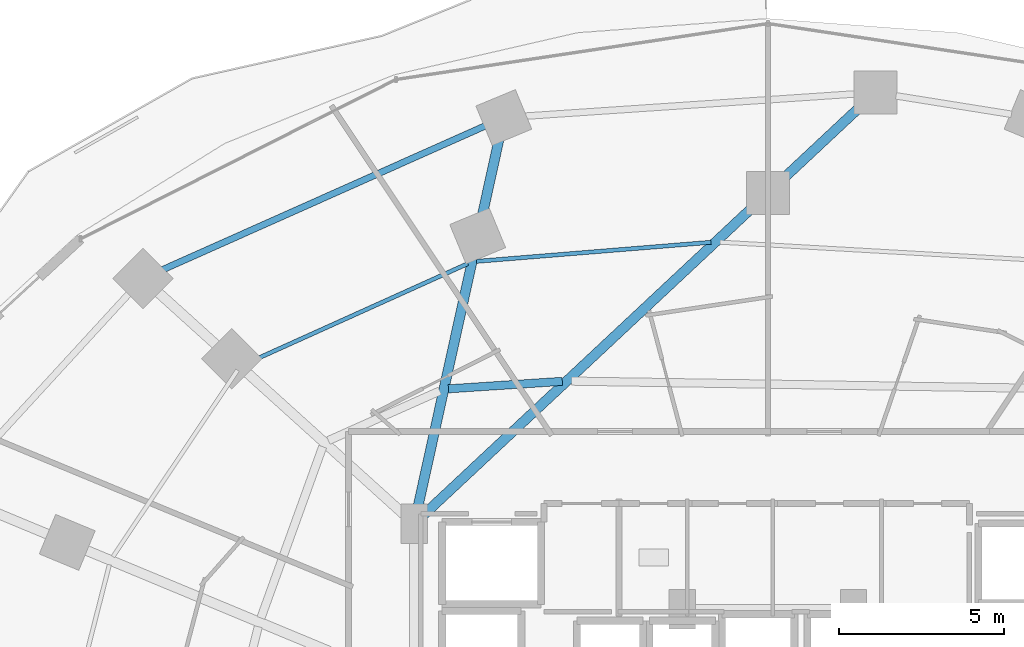
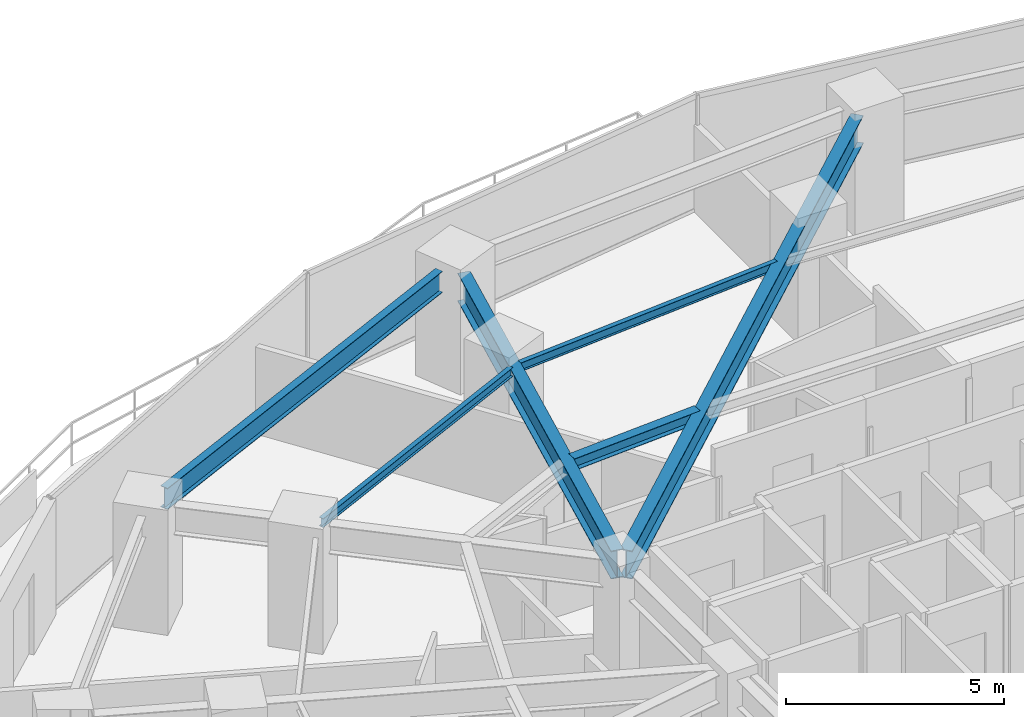
# One storey, part 21 of 35: 6 beams.
"""IFC4 building model written with IfcOpenShell, lengths in metres."""

from ifc_helpers import new_model, si_unit, direction, frame, origin, origin_2d, place, context, subcontext, project, spatial, i_section, extrude, material, material_profile, profile_set, type_object, element, save


model = new_model("IFC4")

# Units and contexts
model_context = context("Model", 3, precision=1e-05, world=origin(), true_north=direction((0.0, 1.0)))
body_context = subcontext(model_context, "Body", "Model", "MODEL_VIEW")
ifc_project = project(units=[si_unit("LENGTHUNIT", "METRE"), si_unit("AREAUNIT", "SQUARE_METRE"), si_unit("VOLUMEUNIT", "CUBIC_METRE"), si_unit("PLANEANGLEUNIT", "RADIAN"), si_unit("MASSUNIT", "GRAM", prefix="KILO")], contexts=[model_context])

# Site, building, storey
site_placement = place(None, origin())
site = spatial("IfcSite", under=ifc_project, at=site_placement, CompositionType="ELEMENT")
building_placement = place(site_placement, origin())
building = spatial("IfcBuilding", under=site, at=building_placement, Name="Vorneva Point Tower", CompositionType="ELEMENT")
storey_placement = place(building_placement, frame((0.0, 0.0, 45.0)))
storey = spatial("IfcBuildingStorey", under=building, at=storey_placement, Name="L11", CompositionType="ELEMENT", Elevation=45.0)

# Beams
ifc_material = material(Name="Steel S355", Category="steel")
ifc_material_profile_1 = material_profile(ifc_material, i_section(OverallWidth=0.300048828125, OverallDepth=0.7880859375, WebThickness=0.014404296875, FlangeThickness=0.02197265625, at=origin_2d()), Name="80Sh1")
ifc_profile_set_1 = profile_set([ifc_material_profile_1], Name="Steel S355")
beam_type_1 = type_object("IfcBeamType", Name="BM-GRD-80Sh1", PredefinedType="USERDEFINED", material=ifc_profile_set_1)
beam_1_placement = place(storey_placement, frame((40.799072265625, 45.81689453125, 2.845947265625), z_axis=(-0.730486513498, -0.682927121732, 0.0), x_axis=(0.682927121732, -0.730486513498, 0.0)))
element("IfcBeam", 1, at=beam_1_placement, inside=storey, type_object=beam_type_1, Name="L11 Radial Primary Girder 05", ObjectType="GIRDER", PredefinedType="USERDEFINED", context=body_context, shape_type="SweptSolid", body=[
    extrude(i_section(OverallWidth=0.300048828125, OverallDepth=0.7880859375, WebThickness=0.014404296875, FlangeThickness=0.02197265625, at=origin_2d()), origin(), (0.0, 0.0, 1.0), 18.2080078125),
])
beam_2_placement = place(storey_placement, frame((29.836181640625, 44.86865234375, 2.845947265625), z_axis=(-0.215504784711, -0.976502784311, 0.0), x_axis=(0.976502784311, -0.215504784711, 0.0)))
element("IfcBeam", 2, at=beam_2_placement, inside=storey, type_object=beam_type_1, Name="L11 Radial Primary Girder 06", ObjectType="GIRDER", PredefinedType="USERDEFINED", context=body_context, shape_type="SweptSolid", body=[
    extrude(i_section(OverallWidth=0.300048828125, OverallDepth=0.7880859375, WebThickness=0.014404296875, FlangeThickness=0.02197265625, at=origin_2d()), origin(), (0.0, 0.0, 1.0), 11.66064453125),
])
ifc_material_profile_2 = material_profile(ifc_material, i_section(OverallWidth=0.1240234375, OverallDepth=0.248046875, WebThickness=0.0048828125, FlangeThickness=0.008056640625, at=origin_2d()), Name="25B1")
ifc_profile_set_2 = profile_set([ifc_material_profile_2], Name="Steel S355")
beam_type_2 = type_object("IfcBeamType", Name="BM-JST-25B1", PredefinedType="JOIST", material=ifc_profile_set_2)
beam_3_placement = place(storey_placement, frame((36.272216796875, 41.7021484375, 3.115966796875), z_axis=(-0.996707458596, -0.081081699406, 0.0), x_axis=(0.081081699406, -0.996707458596, 0.0)))
element("IfcBeam", 3, at=beam_3_placement, inside=storey, type_object=beam_type_2, Name="L11 Secondary Floor Beam 1.05", PredefinedType="JOIST", context=body_context, shape_type="SweptSolid", body=[
    extrude(i_section(OverallWidth=0.1240234375, OverallDepth=0.248046875, WebThickness=0.0048828125, FlangeThickness=0.008056640625, at=origin_2d()), origin(), (0.0, 0.0, 1.0), 7.151123046875),
])
beam_4_placement = place(storey_placement, frame((28.881103515625, 41.05419921875, 3.115966796875), z_axis=(-0.911485447637, -0.411332321544, 0.0), x_axis=(0.411332321544, -0.911485447637, 0.0)))
element("IfcBeam", 4, at=beam_4_placement, inside=storey, type_object=beam_type_2, Name="L11 Secondary Floor Beam 1.06", PredefinedType="JOIST", context=body_context, shape_type="SweptSolid", body=[
    extrude(i_section(OverallWidth=0.1240234375, OverallDepth=0.248046875, WebThickness=0.0048828125, FlangeThickness=0.008056640625, at=origin_2d()), origin(), (0.0, 0.0, 1.0), 7.457275390625),
])
ifc_material_profile_3 = material_profile(ifc_material, i_section(OverallWidth=0.2490234375, OverallDepth=0.333984375, WebThickness=0.008056640625, FlangeThickness=0.010986328125, at=origin_2d()), Name="35Sh1")
ifc_profile_set_3 = profile_set([ifc_material_profile_3], Name="Steel S355")
beam_type_3 = type_object("IfcBeamType", Name="BM-SEC-35Sh1", PredefinedType="BEAM", material=ifc_profile_set_3)
beam_5_placement = place(storey_placement, frame((31.75, 37.4765625, 3.072998046875), z_axis=(-0.997835036249, -0.065766560148, 0.0), x_axis=(0.065766560148, -0.997835036249, 0.0)))
element("IfcBeam", 5, at=beam_5_placement, inside=storey, type_object=beam_type_3, Name="L11 Secondary Floor Beam 2.05", PredefinedType="BEAM", context=body_context, shape_type="SweptSolid", body=[
    extrude(i_section(OverallWidth=0.2490234375, OverallDepth=0.333984375, WebThickness=0.008056640625, FlangeThickness=0.010986328125, at=origin_2d()), origin(), (0.0, 0.0, 1.0), 3.46728515625),
])
ifc_material_profile_4 = material_profile(ifc_material, i_section(OverallWidth=0.198974609375, OverallDepth=0.595947265625, WebThickness=0.010009765625, FlangeThickness=0.014892578125, at=origin_2d()), Name="60B1")
ifc_profile_set_4 = profile_set([ifc_material_profile_4], Name="Steel S355")
beam_type_4 = type_object("IfcBeamType", Name="BM-SPN-60B1", PredefinedType="SPANDREL", material=ifc_profile_set_4)
beam_6_placement = place(storey_placement, frame((29.393798828125, 45.23291015625, 2.94189453125), z_axis=(-0.913329187558, -0.407222046499, 0.0), x_axis=(0.407222046499, -0.913329187558, 0.0)))
element("IfcBeam", 6, at=beam_6_placement, inside=storey, type_object=beam_type_4, Name="L11 Perimeter Spandrel Ring Beam 06", PredefinedType="SPANDREL", context=body_context, shape_type="SweptSolid", body=[
    extrude(i_section(OverallWidth=0.198974609375, OverallDepth=0.595947265625, WebThickness=0.010009765625, FlangeThickness=0.014892578125, at=origin_2d()), origin(), (0.0, 0.0, 1.0), 10.742431640625),
])

save(model, "model.ifc")
